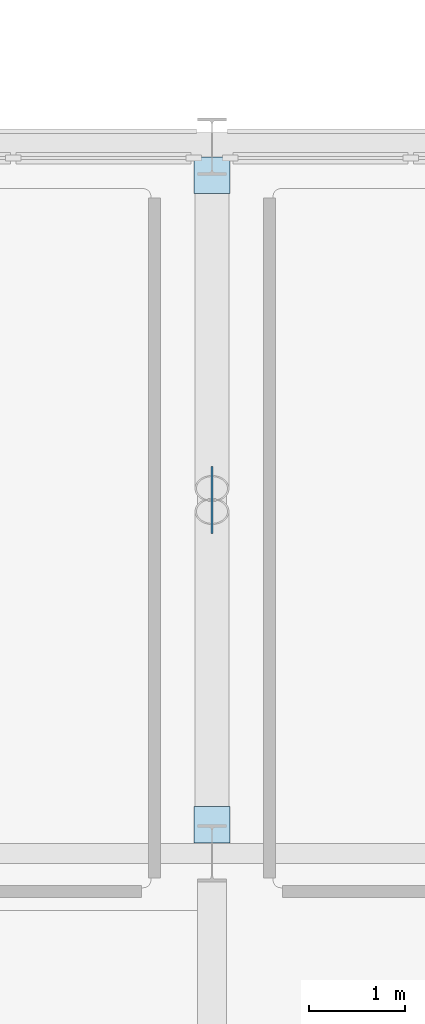
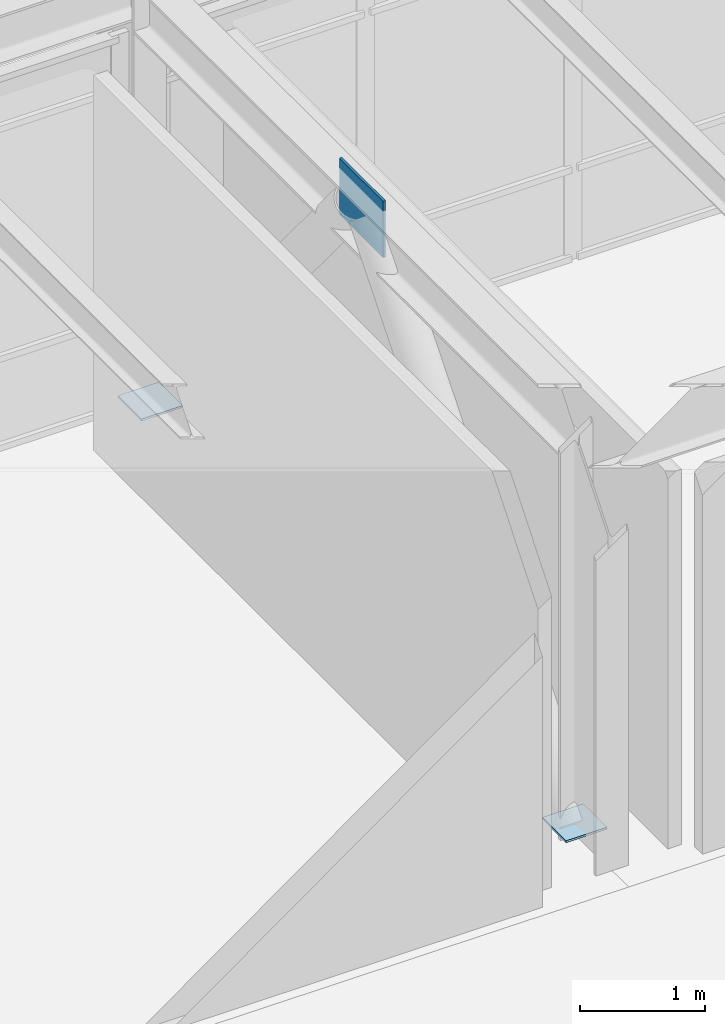
# One storey, part 34 of 75: 3 plates.
"""IFC4 building model written with IfcOpenShell, lengths in metres."""

from ifc_helpers import new_model, si_unit, direction, frame, origin, origin_2d, place, context, subcontext, project, spatial, rectangle, extrude, material, layer, layer_set, type_object, element, save


model = new_model("IFC4")

# Units and contexts
model_context = context("Model", 3, precision=1e-05, world=origin(), true_north=direction((0.0, 1.0)))
body_context = subcontext(model_context, "Body", "Model", "MODEL_VIEW")
ifc_project = project(units=[si_unit("LENGTHUNIT", "METRE"), si_unit("AREAUNIT", "SQUARE_METRE"), si_unit("VOLUMEUNIT", "CUBIC_METRE"), si_unit("PLANEANGLEUNIT", "RADIAN"), si_unit("MASSUNIT", "GRAM", prefix="KILO")], contexts=[model_context])

# Site, building, storey
site_placement = place(None, origin())
site = spatial("IfcSite", under=ifc_project, at=site_placement, CompositionType="ELEMENT")
building_placement = place(site_placement, origin())
building = spatial("IfcBuilding", under=site, at=building_placement, Name="Valkorina Park Police Headquarters", CompositionType="ELEMENT")
storey_placement = place(building_placement, frame((0.0, 0.0, 5.39990234375)))
storey = spatial("IfcBuildingStorey", under=building, at=storey_placement, Name="L02", CompositionType="ELEMENT", Elevation=5.39990234375)

# Plates
ifc_material = material(Name="Steel S355", Category="steel")
ifc_layer_1 = layer(ifc_material, 0.02001953125)
ifc_layer_set_1 = layer_set([ifc_layer_1], Name="Steel S355")
plate_type_1 = type_object("IfcPlateType", Name="PL-ENDCAP-20", PredefinedType="USERDEFINED", material=ifc_layer_set_1)
for number, where, z_axis, x_axis, name in (
    (1, (24.800048828125, 52.10009765625, 0.090087890625), (0.0, 0.0, 1.0), (1.0, 0.0, 0.0), "Brace Base End Cap Plate 202"),
    (2, (24.800048828125, 58.89990234375, 0.090087890625), (0.0, 0.0, 1.0), (1.0, 0.0, 0.0), "Brace Base End Cap Plate 203"),
):
    element("IfcPlate", number, at=place(storey_placement, frame(where, z_axis=z_axis, x_axis=x_axis)), inside=storey, type_object=plate_type_1, Name=name, ObjectType="END CAP PLATE", PredefinedType="USERDEFINED", context=body_context, shape_type="SweptSolid", body=[
        extrude(rectangle(XDim=0.3798828125, YDim=0.3798828125, at=origin_2d()), origin(), (0.0, 0.0, 1.0), 0.02001953125),
    ])
ifc_layer_2 = layer(ifc_material, 0.02392578125)
ifc_layer_set_2 = layer_set([ifc_layer_2], Name="Steel S355")
plate_type_2 = type_object("IfcPlateType", Name="PL-GUSSET-24", PredefinedType="USERDEFINED", material=ifc_layer_set_2)
plate_placement = place(storey_placement, frame((24.800048828125, 55.5, 3.78515625), z_axis=(0.0, 0.0, 1.0), x_axis=(1.0, 0.0, 0.0)))
element("IfcPlate", 3, at=plate_placement, inside=storey, type_object=plate_type_2, Name="Chevron Apex Gusset Plate CBF-06 204", ObjectType="GUSSET PLATE", PredefinedType="USERDEFINED", context=body_context, shape_type="SweptSolid", body=[
    extrude(rectangle(XDim=0.02392578125, YDim=0.699951171875, at=origin_2d()), origin(), (0.0, 0.0, 1.0), 0.550048828125),
])

save(model, "model.ifc")
